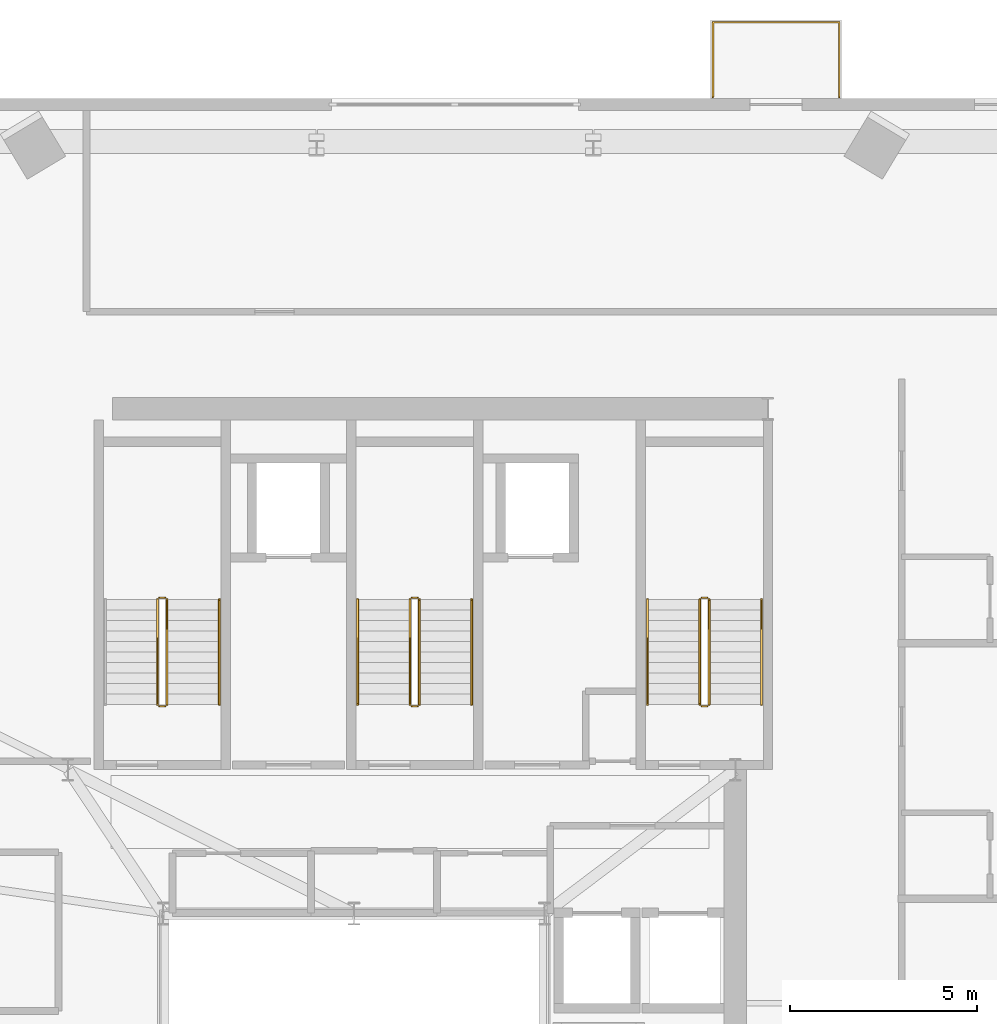
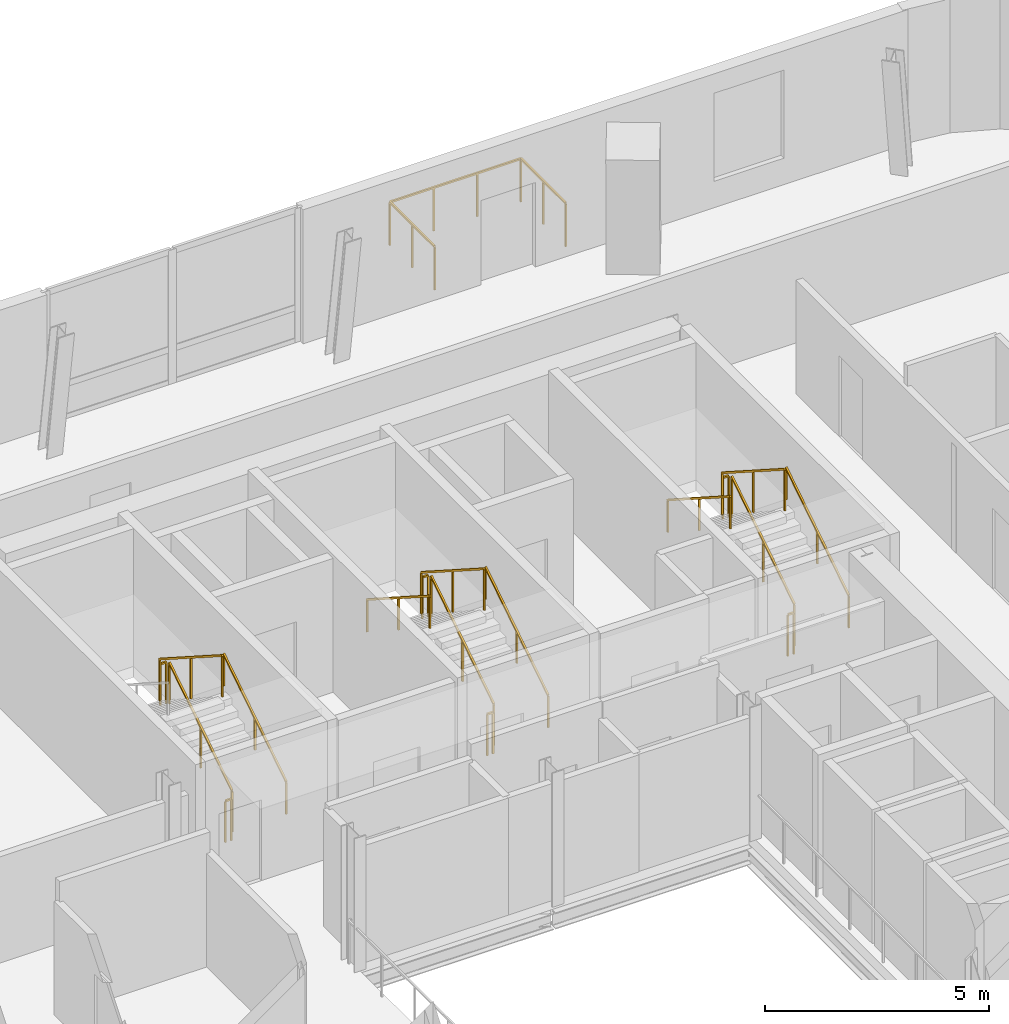
# One storey, part 12 of 12: 18 railings.
"""IFC4 building model written with IfcOpenShell, lengths in metres."""

from ifc_helpers import new_model, si_unit, direction, frame, origin, origin_2d, place, context, subcontext, project, spatial, rectangle, extrude, source, transform, mapped, material, type_object, element, save


model = new_model("IFC4")

# Units and contexts
model_context = context("Model", 3, precision=1e-05, world=origin(), true_north=direction((0.0, 1.0)))
body_context = subcontext(model_context, "Body", "Model", "MODEL_VIEW")
ifc_project = project(units=[si_unit("LENGTHUNIT", "METRE"), si_unit("AREAUNIT", "SQUARE_METRE"), si_unit("VOLUMEUNIT", "CUBIC_METRE"), si_unit("PLANEANGLEUNIT", "RADIAN"), si_unit("MASSUNIT", "GRAM", prefix="KILO")], contexts=[model_context])

# Site, building, storey
site_placement = place(None, origin())
site = spatial("IfcSite", under=ifc_project, at=site_placement, CompositionType="ELEMENT")
building_placement = place(site_placement, origin())
building = spatial("IfcBuilding", under=site, at=building_placement, Name="Vardaveli Station Tower", CompositionType="ELEMENT")
storey_placement = place(building_placement, frame((0.0, 0.0, 254.550048828125)))
storey = spatial("IfcBuildingStorey", under=building, at=storey_placement, Name="L65", CompositionType="ELEMENT", Elevation=254.550048828125)

# Railings
ifc_material_1 = material(Name="Laminated glass and stainless steel balustrade", Category="steel")
railing_type_1 = type_object("IfcRailingType", Name="RL-BAL-1200", PredefinedType="BALUSTRADE", material=ifc_material_1)
shared_shape_1 = source(origin(), body_context, "Body", "SweptSolid", [
    extrude(rectangle(XDim=0.048095703125, YDim=0.048095703125, at=origin_2d()), frame((0.0, 0.0, 1.17578125), z_axis=(0.0, 1.0, 0.0), x_axis=(-1.0, 0.0, 0.0)), (0.0, 0.0, 1.0), 2.0),
    extrude(rectangle(XDim=0.048095703125, YDim=0.048095703125, at=origin_2d()), frame((0.0, 2.0, 1.17578125), z_axis=(1.0, 0.0, 0.0), x_axis=(0.0, 1.0, 0.0)), (0.0, 0.0, 1.0), 3.3798828125),
    extrude(rectangle(XDim=0.048095703125, YDim=0.048095703125, at=origin_2d()), frame((3.3798828125, 2.0, 1.17578125), z_axis=(0.0, -1.0, 0.0), x_axis=(1.0, 0.0, 0.0)), (0.0, 0.0, 1.0), 2.0),
    extrude(rectangle(XDim=0.0419921875, YDim=0.0419921875, at=origin_2d()), origin(), (0.0, 0.0, 1.0), 1.15185546875),
    extrude(rectangle(XDim=0.0419921875, YDim=0.0419921875, at=origin_2d()), frame((0.0, 1.0, 0.0)), (0.0, 0.0, 1.0), 1.15185546875),
    extrude(rectangle(XDim=0.0419921875, YDim=0.0419921875, at=origin_2d()), frame((0.0, 2.0, 0.0)), (0.0, 0.0, 1.0), 1.15185546875),
    extrude(rectangle(XDim=0.0419921875, YDim=0.0419921875, at=origin_2d()), frame((1.126708984375, 2.0, 0.0)), (0.0, 0.0, 1.0), 1.15185546875),
    extrude(rectangle(XDim=0.0419921875, YDim=0.0419921875, at=origin_2d()), frame((2.253173828125, 2.0, 0.0)), (0.0, 0.0, 1.0), 1.15185546875),
    extrude(rectangle(XDim=0.0419921875, YDim=0.0419921875, at=origin_2d()), frame((3.3798828125, 2.0, 0.0)), (0.0, 0.0, 1.0), 1.15185546875),
    extrude(rectangle(XDim=0.0419921875, YDim=0.0419921875, at=origin_2d()), frame((3.3798828125, 1.0, 0.0)), (0.0, 0.0, 1.0), 1.15185546875),
    extrude(rectangle(XDim=0.0419921875, YDim=0.0419921875, at=origin_2d()), frame((3.3798828125, 0.0, 0.0)), (0.0, 0.0, 1.0), 1.15185546875),
])
railing_placement = place(storey_placement, frame((45.899658203125, 48.639892578125, 0.0)))
element("IfcRailing", 1, at=railing_placement, inside=storey, type_object=railing_type_1, Name="RL-LOG-L65-02", PredefinedType="BALUSTRADE", context=body_context, shape_type="MappedRepresentation", body=[
    mapped(shared_shape_1, transform((0.0, 0.0, 0.0), scale=1.0)),
])
ifc_material_2 = material(Name="Brushed AISI 316 stainless steel", Category="steel")
railing_type_2 = type_object("IfcRailingType", Name="RL-GUARD-1150", PredefinedType="GUARDRAIL", material=ifc_material_2)
shared_shape_2 = source(origin(), body_context, "Body", "SweptSolid", [
    extrude(rectangle(XDim=0.048095703125, YDim=0.048095703125, at=origin_2d()), frame((0.0, 0.0, 1.1259765625), z_axis=(-1.0, 0.0, 0.0), x_axis=(0.0, -1.0, 0.0)), (0.0, 0.0, 1.0), 0.14990234375),
    extrude(rectangle(XDim=0.0419921875, YDim=0.0419921875, at=origin_2d()), origin(), (0.0, 0.0, 1.0), 1.101806640625),
    extrude(rectangle(XDim=0.0419921875, YDim=0.0419921875, at=origin_2d()), frame((-0.14990234375, 0.0, 0.0)), (0.0, 0.0, 1.0), 1.101806640625),
])
for number, where, name in (
    (2, (31.25, 35.25, 1.974853515625), "L65 ST-1 stair guard 2"),
    (3, (31.25, 32.35009765625, 0.0), "L65 ST-1 stair guard 4"),
    (4, (38.0, 35.25, 1.974853515625), "L65 ST-2 stair guard 2"),
    (5, (38.0, 32.35009765625, 0.0), "L65 ST-2 stair guard 4"),
    (6, (45.75, 35.25, 1.974853515625), "L65 ST-3 stair guard 2"),
    (7, (45.75, 32.35009765625, 0.0), "L65 ST-3 stair guard 4"),
):
    element("IfcRailing", number, at=place(storey_placement, frame(where)), inside=storey, type_object=railing_type_2, Name=name, PredefinedType="GUARDRAIL", context=body_context, shape_type="MappedRepresentation", body=[
        mapped(shared_shape_2, transform((0.0, 0.0, 0.0), scale=1.0)),
    ])
shared_shape_3 = source(origin(), body_context, "Body", "SweptSolid", [
    extrude(rectangle(XDim=0.048095703125, YDim=0.048095703125, at=origin_2d()), frame((0.0, 0.0, 1.1259765625), z_axis=(0.0, 0.841809871826, 0.539774156196), x_axis=(-1.0, 0.0, 0.0)), (0.0, 0.0, 1.0), 3.326171875),
    extrude(rectangle(XDim=0.0419921875, YDim=0.0419921875, at=origin_2d()), origin(), (0.0, 0.0, 1.0), 1.101806640625),
    extrude(rectangle(XDim=0.0419921875, YDim=0.0419921875, at=origin_2d()), frame((0.0, 1.39990234375, 0.897705078125)), (0.0, 0.0, 1.0), 1.101806640625),
    extrude(rectangle(XDim=0.0419921875, YDim=0.0419921875, at=origin_2d()), frame((0.0, 2.800048828125, 1.79541015625)), (0.0, 0.0, 1.0), 1.101806640625),
])
for number, where, name in (
    (8, (31.300048828125, 32.39990234375, 0.179443359375), "L65 ST-1 stair guard 1"),
    (9, (38.050048828125, 32.39990234375, 0.179443359375), "L65 ST-2 stair guard 1"),
    (10, (45.800048828125, 32.39990234375, 0.179443359375), "L65 ST-3 stair guard 1"),
):
    element("IfcRailing", number, at=place(storey_placement, frame(where)), inside=storey, type_object=railing_type_2, Name=name, PredefinedType="GUARDRAIL", context=body_context, shape_type="MappedRepresentation", body=[
        mapped(shared_shape_3, transform((0.0, 0.0, 0.0), scale=1.0)),
    ])
shared_shape_4 = source(origin(), body_context, "Body", "SweptSolid", [
    extrude(rectangle(XDim=0.048095703125, YDim=0.048095703125, at=origin_2d()), frame((0.0, 0.0, 1.1259765625), z_axis=(0.0, -0.841809871826, 0.539774156196), x_axis=(1.0, 0.0, 0.0)), (0.0, 0.0, 1.0), 3.326171875),
    extrude(rectangle(XDim=0.0419921875, YDim=0.0419921875, at=origin_2d()), origin(), (0.0, 0.0, 1.0), 1.101806640625),
    extrude(rectangle(XDim=0.0419921875, YDim=0.0419921875, at=origin_2d()), frame((0.0, -1.39990234375, 0.897705078125)), (0.0, 0.0, 1.0), 1.101806640625),
    extrude(rectangle(XDim=0.0419921875, YDim=0.0419921875, at=origin_2d()), frame((0.0, -2.800048828125, 1.79541015625)), (0.0, 0.0, 1.0), 1.101806640625),
])
for number, where, name in (
    (11, (31.050048828125, 35.199951171875, 2.154541015625), "L65 ST-1 stair guard 3"),
    (12, (37.800048828125, 35.199951171875, 2.154541015625), "L65 ST-2 stair guard 3"),
    (13, (45.550048828125, 35.199951171875, 2.154541015625), "L65 ST-3 stair guard 3"),
):
    element("IfcRailing", number, at=place(storey_placement, frame(where)), inside=storey, type_object=railing_type_2, Name=name, PredefinedType="GUARDRAIL", context=body_context, shape_type="MappedRepresentation", body=[
        mapped(shared_shape_4, transform((0.0, 0.0, 0.0), scale=1.0)),
    ])
railing_type_3 = type_object("IfcRailingType", Name="RL-HAND-900", PredefinedType="HANDRAIL", material=ifc_material_2)
shared_shape_5 = source(origin(), body_context, "Body", "SweptSolid", [
    extrude(rectangle(XDim=0.048095703125, YDim=0.048095703125, at=origin_2d()), frame((0.0, 0.0, 0.8759765625), z_axis=(0.0, 0.841809871826, 0.539774156196), x_axis=(-1.0, 0.0, 0.0)), (0.0, 0.0, 1.0), 3.326171875),
    extrude(rectangle(XDim=0.0419921875, YDim=0.0419921875, at=origin_2d()), origin(), (0.0, 0.0, 1.0), 0.851806640625),
    extrude(rectangle(XDim=0.0419921875, YDim=0.0419921875, at=origin_2d()), frame((0.0, 1.39990234375, 0.897705078125)), (0.0, 0.0, 1.0), 0.851806640625),
    extrude(rectangle(XDim=0.0419921875, YDim=0.0419921875, at=origin_2d()), frame((0.0, 2.800048828125, 1.79541015625)), (0.0, 0.0, 1.0), 0.851806640625),
])
for number, where, name in (
    (14, (32.699951171875, 32.39990234375, 0.179443359375), "L65 ST-1 stair handrail 1"),
    (15, (39.449951171875, 32.39990234375, 0.179443359375), "L65 ST-2 stair handrail 1"),
    (16, (47.199951171875, 32.39990234375, 0.179443359375), "L65 ST-3 stair handrail 1"),
):
    element("IfcRailing", number, at=place(storey_placement, frame(where)), inside=storey, type_object=railing_type_3, Name=name, PredefinedType="HANDRAIL", context=body_context, shape_type="MappedRepresentation", body=[
        mapped(shared_shape_5, transform((0.0, 0.0, 0.0), scale=1.0)),
    ])
shared_shape_6 = source(origin(), body_context, "Body", "SweptSolid", [
    extrude(rectangle(XDim=0.048095703125, YDim=0.048095703125, at=origin_2d()), frame((0.0, 0.0, 0.8759765625), z_axis=(0.0, -0.841809871826, 0.539774156196), x_axis=(1.0, 0.0, 0.0)), (0.0, 0.0, 1.0), 3.326171875),
    extrude(rectangle(XDim=0.0419921875, YDim=0.0419921875, at=origin_2d()), origin(), (0.0, 0.0, 1.0), 0.851806640625),
    extrude(rectangle(XDim=0.0419921875, YDim=0.0419921875, at=origin_2d()), frame((0.0, -1.39990234375, 0.897705078125)), (0.0, 0.0, 1.0), 0.851806640625),
    extrude(rectangle(XDim=0.0419921875, YDim=0.0419921875, at=origin_2d()), frame((0.0, -2.800048828125, 1.79541015625)), (0.0, 0.0, 1.0), 0.851806640625),
])
for number, where, name in (
    (17, (36.39990234375, 35.199951171875, 2.154541015625), "L65 ST-2 stair handrail 2"),
    (18, (44.14990234375, 35.199951171875, 2.154541015625), "L65 ST-3 stair handrail 2"),
):
    element("IfcRailing", number, at=place(storey_placement, frame(where)), inside=storey, type_object=railing_type_3, Name=name, PredefinedType="HANDRAIL", context=body_context, shape_type="MappedRepresentation", body=[
        mapped(shared_shape_6, transform((0.0, 0.0, 0.0), scale=1.0)),
    ])

save(model, "model.ifc")
